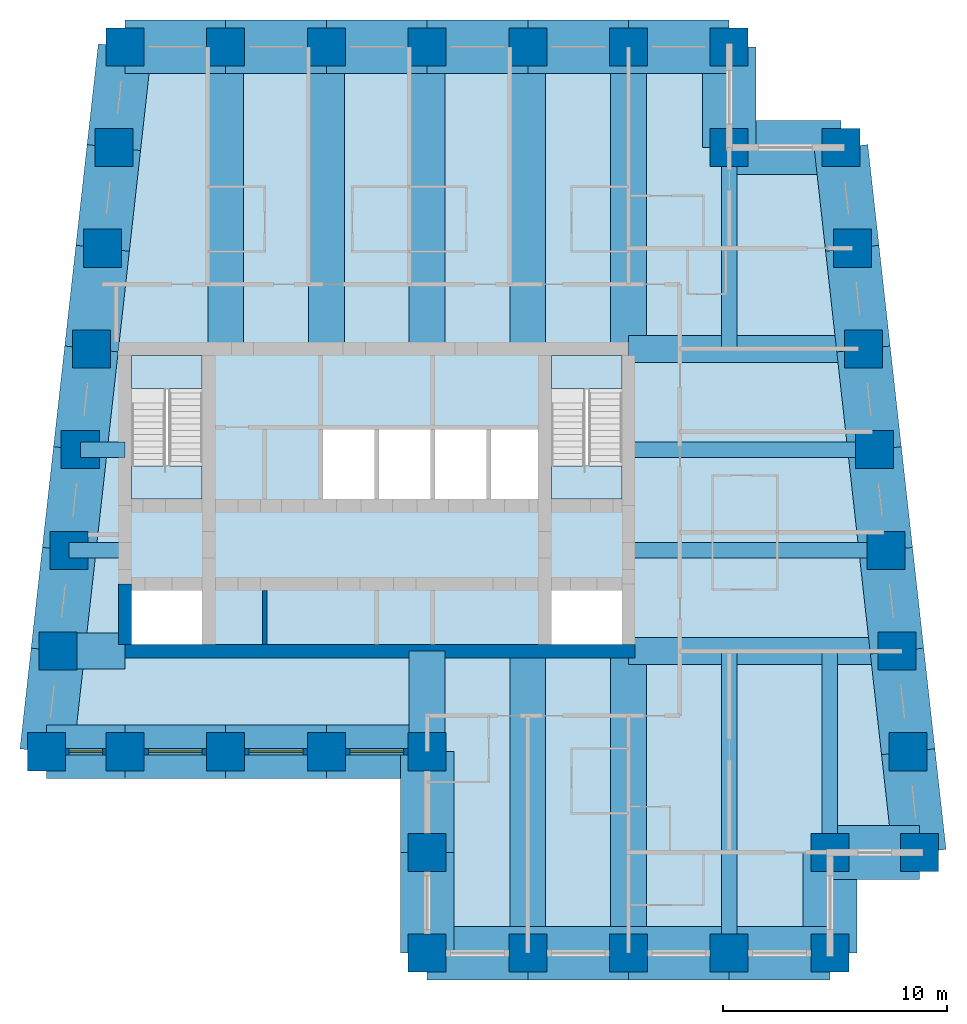
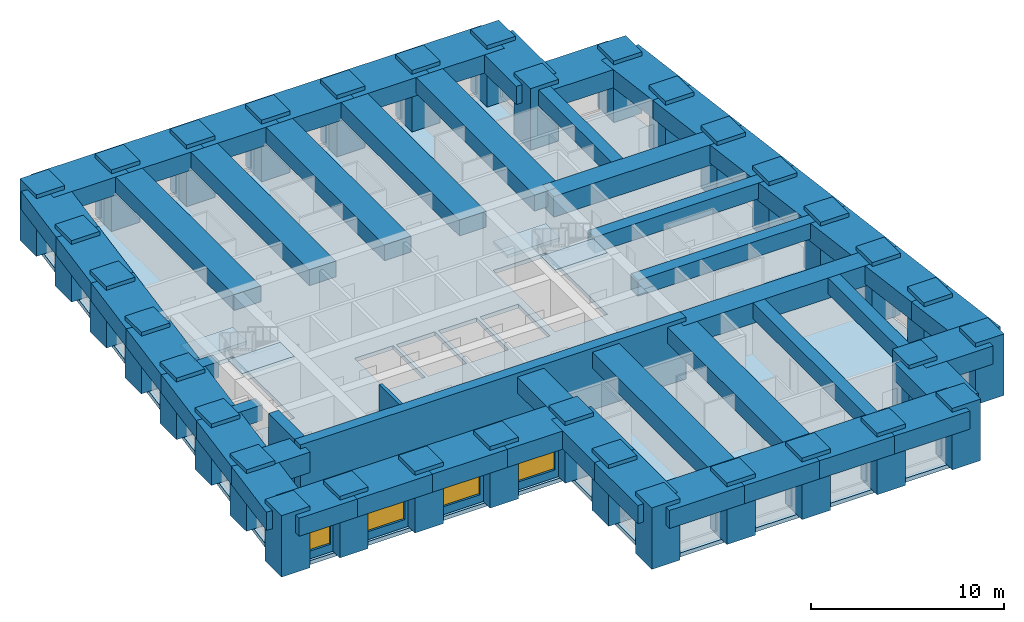
# One storey, part 1 of 7: 52 beams, 34 columns, 5 slabs, 4 walls, 4 windows, 4 openings, 2 elements without a shape of their own.
"""IFC4 building model written with IfcOpenShell, lengths in metres."""

from ifc_helpers import new_model, si_unit, direction, frame, frame_2d, origin, origin_2d, place, context, subcontext, project, spatial, polyline, rectangle, outline, extrude, material, layer, layer_set, material_profile, profile_set, type_object, element, fill, aggregate, save


model = new_model("IFC4")

# Units and contexts
model_context = context("Model", 3, precision=1e-05, world=origin(), true_north=direction((0.0, 1.0)))
body_context = subcontext(model_context, "Body", "Model", "MODEL_VIEW")
ifc_project = project(units=[si_unit("LENGTHUNIT", "METRE"), si_unit("AREAUNIT", "SQUARE_METRE"), si_unit("VOLUMEUNIT", "CUBIC_METRE"), si_unit("PLANEANGLEUNIT", "RADIAN"), si_unit("MASSUNIT", "GRAM", prefix="KILO")], contexts=[model_context])

# Site, building, storey
site_placement = place(None, origin())
site = spatial("IfcSite", under=ifc_project, at=site_placement, CompositionType="ELEMENT")
building_placement = place(site_placement, origin())
building = spatial("IfcBuilding", under=site, at=building_placement, Name="Kilele Tower Hotel", CompositionType="ELEMENT")
storey_placement = place(building_placement, frame((0.0, 0.0, 221.300048828125)))
storey = spatial("IfcBuildingStorey", under=building, at=storey_placement, Name="L57", CompositionType="ELEMENT", Elevation=221.300048828125)

# Columns
ifc_material_1 = material(Name="Concrete C60/75", Category="concrete")
ifc_material_profile_1 = material_profile(ifc_material_1, rectangle(XDim=1.699951171875, YDim=1.699951171875, at=origin_2d()))
ifc_profile_set_1 = profile_set([ifc_material_profile_1], Name="Concrete C60/75")
column_type = type_object("IfcColumnType", Name="Tube column RC 1700x1700 C60/75", PredefinedType="COLUMN", material=ifc_profile_set_1)
for number, where, z_axis, x_axis, name in (
    (1, (10.0, 9.0, 0.0), (0.0, 0.0, 1.0), (1.0, 0.0, 0.0), "Column TC4 L57"),
    (2, (13.5, 9.0, 0.0), (0.0, 0.0, 1.0), (1.0, 0.0, 0.0), "Column TC4 L57"),
    (3, (18.0, 9.0, 0.0), (0.0, 0.0, 1.0), (1.0, 0.0, 0.0), "Column TC4 L57"),
    (4, (22.5, 9.0, 0.0), (0.0, 0.0, 1.0), (1.0, 0.0, 0.0), "Column TC4 L57"),
    (5, (27.0, 9.0, 0.0), (0.0, 0.0, 1.0), (1.0, 0.0, 0.0), "Column TC4 L57"),
    (6, (27.0, 4.5, 0.0), (0.0, 0.0, 1.0), (1.0, 0.0, 0.0), "Column TC4 L57"),
    (7, (27.0, 0.0, 0.0), (0.0, 0.0, 1.0), (1.0, 0.0, 0.0), "Column TC4 L57"),
    (8, (31.5, 0.0, 0.0), (0.0, 0.0, 1.0), (1.0, 0.0, 0.0), "Column TC4 L57"),
    (9, (36.0, 0.0, 0.0), (0.0, 0.0, 1.0), (1.0, 0.0, 0.0), "Column TC4 L57"),
    (10, (40.5, 0.0, 0.0), (0.0, 0.0, 1.0), (1.0, 0.0, 0.0), "Column TC4 L57"),
    (11, (45.0, 0.0, 0.0), (0.0, 0.0, 1.0), (1.0, 0.0, 0.0), "Column TC4 L57"),
    (12, (45.0, 4.5, 0.0), (0.0, 0.0, 1.0), (1.0, 0.0, 0.0), "Column TC4 L57"),
    (13, (49.0, 4.5, 0.0), (0.0, 0.0, 1.0), (1.0, 0.0, 0.0), "Column TC4 L57"),
    (14, (48.5, 9.0, 0.0), (0.0, 0.0, 1.0), (1.0, 0.0, 0.0), "Column TC4 L57"),
    (15, (48.0, 13.5, 0.0), (0.0, 0.0, 1.0), (1.0, 0.0, 0.0), "Column TC4 L57"),
    (16, (47.5, 18.0, 0.0), (0.0, 0.0, 1.0), (1.0, 0.0, 0.0), "Column TC4 L57"),
    (17, (47.0, 22.5, 0.0), (0.0, 0.0, 1.0), (1.0, 0.0, 0.0), "Column TC4 L57"),
    (18, (46.5, 27.0, 0.0), (0.0, 0.0, 1.0), (1.0, 0.0, 0.0), "Column TC4 L57"),
    (19, (46.0, 31.5, 0.0), (0.0, 0.0, 1.0), (1.0, 0.0, 0.0), "Column TC4 L57"),
    (20, (45.5, 36.0, 0.0), (0.0, 0.0, 1.0), (1.0, 0.0, 0.0), "Column TC4 L57"),
    (21, (40.5, 36.0, 0.0), (0.0, 0.0, 1.0), (1.0, 0.0, 0.0), "Column TC4 L57"),
    (22, (40.5, 40.5, 0.0), (0.0, 0.0, 1.0), (1.0, 0.0, 0.0), "Column TC4 L57"),
    (23, (36.0, 40.5, 0.0), (0.0, 0.0, 1.0), (1.0, 0.0, 0.0), "Column TC4 L57"),
    (24, (31.5, 40.5, 0.0), (0.0, 0.0, 1.0), (1.0, 0.0, 0.0), "Column TC4 L57"),
    (25, (27.0, 40.5, 0.0), (0.0, 0.0, 1.0), (1.0, 0.0, 0.0), "Column TC4 L57"),
    (26, (22.5, 40.5, 0.0), (0.0, 0.0, 1.0), (1.0, 0.0, 0.0), "Column TC4 L57"),
    (27, (18.0, 40.5, 0.0), (0.0, 0.0, 1.0), (1.0, 0.0, 0.0), "Column TC4 L57"),
    (28, (13.5, 40.5, 0.0), (0.0, 0.0, 1.0), (1.0, 0.0, 0.0), "Column TC4 L57"),
    (29, (13.0, 36.0, 0.0), (0.0, 0.0, 1.0), (1.0, 0.0, 0.0), "Column TC4 L57"),
    (30, (12.5, 31.5, 0.0), (0.0, 0.0, 1.0), (1.0, 0.0, 0.0), "Column TC4 L57"),
    (31, (12.0, 27.0, 0.0), (0.0, 0.0, 1.0), (1.0, 0.0, 0.0), "Column TC4 L57"),
    (32, (11.5, 22.5, 0.0), (0.0, 0.0, 1.0), (1.0, 0.0, 0.0), "Column TC4 L57"),
    (33, (11.0, 18.0, 0.0), (0.0, 0.0, 1.0), (1.0, 0.0, 0.0), "Column TC4 L57"),
    (34, (10.5, 13.5, 0.0), (0.0, 0.0, 1.0), (1.0, 0.0, 0.0), "Column TC4 L57"),
):
    element("IfcColumn", number, at=place(storey_placement, frame(where, z_axis=z_axis, x_axis=x_axis)), inside=storey, type_object=column_type, Name=name, PredefinedType="COLUMN", context=body_context, shape_type="SweptSolid", body=[
        extrude(rectangle(XDim=1.699951171875, YDim=1.699951171875, at=origin_2d()), origin(), (0.0, 0.0, 1.0), 3.89990234375),
    ])

# Beams
ifc_material_2 = material(Name="Concrete C60/75", Category="concrete")
ifc_material_profile_2 = material_profile(ifc_material_2, rectangle(XDim=1.60009765625, YDim=1.0, at=origin_2d()))
ifc_profile_set_2 = profile_set([ifc_material_profile_2], Name="Concrete C60/75")
beam_type_1 = type_object("IfcBeamType", Name="Beam RC 1600x1000 C60/75", PredefinedType="BEAM", material=ifc_profile_set_2)
for number, where, z_axis, x_axis, name in (
    (35, (31.5, 0.0, 3.14990234375), (0.0, 1.0, 0.0), (-1.0, 0.0, 0.0), "Beam BC1 level L58"),
    (36, (36.0, 0.0, 3.14990234375), (0.0, 1.0, 0.0), (-1.0, 0.0, 0.0), "Beam BC1 level L58"),
    (37, (36.0, 40.5, 3.14990234375), (0.0, -1.0, 0.0), (1.0, 0.0, 0.0), "Beam BC1 level L58"),
    (38, (31.5, 40.5, 3.14990234375), (0.0, -1.0, 0.0), (1.0, 0.0, 0.0), "Beam BC1 level L58"),
    (39, (27.0, 40.5, 3.14990234375), (0.0, -1.0, 0.0), (1.0, 0.0, 0.0), "Beam BC1 level L58"),
    (40, (22.5, 40.5, 3.14990234375), (0.0, -1.0, 0.0), (1.0, 0.0, 0.0), "Beam BC1 level L58"),
    (41, (18.0, 40.5, 3.14990234375), (0.0, -1.0, 0.0), (1.0, 0.0, 0.0), "Beam BC1 level L58"),
):
    element("IfcBeam", number, at=place(storey_placement, frame(where, z_axis=z_axis, x_axis=x_axis)), inside=storey, type_object=beam_type_1, Name=name, PredefinedType="BEAM", context=body_context, shape_type="SweptSolid", body=[
        extrude(rectangle(XDim=1.60009765625, YDim=1.0, at=origin_2d()), origin(), (0.0, 0.0, 1.0), 13.5),
    ])
ifc_material_3 = material(Name="Concrete C60/75", Category="concrete")
ifc_material_profile_3 = material_profile(ifc_material_3, rectangle(XDim=1.60009765625, YDim=1.0, at=origin_2d()))
ifc_profile_set_3 = profile_set([ifc_material_profile_3], Name="Concrete C60/75")
beam_type_2 = type_object("IfcBeamType", Name="Beam RC 1600x1000 C60/75 short span", PredefinedType="BEAM", material=ifc_profile_set_3)
beam_1_placement = place(storey_placement, frame((27.0, 9.0, 3.14990234375), z_axis=(0.0, 1.0, 0.0), x_axis=(-1.0, 0.0, 0.0)))
element("IfcBeam", 42, at=beam_1_placement, inside=storey, type_object=beam_type_2, Name="Beam BC2 level L58", PredefinedType="BEAM", context=body_context, shape_type="SweptSolid", body=[
    extrude(rectangle(XDim=1.60009765625, YDim=1.0, at=origin_2d()), origin(), (0.0, 0.0, 1.0), 4.5),
])
ifc_material_4 = material(Name="Concrete C60/75", Category="concrete")
ifc_material_profile_4 = material_profile(ifc_material_4, rectangle(XDim=0.699951171875, YDim=1.0, at=origin_2d()))
ifc_profile_set_4 = profile_set([ifc_material_profile_4], Name="Concrete C60/75")
beam_type_3 = type_object("IfcBeamType", Name="Beam RC 700x1000 C60/75", PredefinedType="BEAM", material=ifc_profile_set_4)
beam_2_placement = place(storey_placement, frame((40.5, 0.0, 3.14990234375), z_axis=(0.0, 1.0, 0.0), x_axis=(-1.0, 0.0, 0.0)))
element("IfcBeam", 43, at=beam_2_placement, inside=storey, type_object=beam_type_3, Name="Beam B4 level L58", PredefinedType="BEAM", context=body_context, shape_type="SweptSolid", body=[
    extrude(rectangle(XDim=0.699951171875, YDim=1.0, at=origin_2d()), origin(), (0.0, 0.0, 1.0), 13.5),
])
ifc_material_5 = material(Name="Concrete C60/75", Category="concrete")
ifc_material_profile_5 = material_profile(ifc_material_5, rectangle(XDim=0.699951171875, YDim=1.0, at=origin_2d()))
ifc_profile_set_5 = profile_set([ifc_material_profile_5], Name="Concrete C60/75")
beam_type_4 = type_object("IfcBeamType", Name="Beam RC 700x1000 C60/75 mid span", PredefinedType="BEAM", material=ifc_profile_set_5)
beam_3_placement = place(storey_placement, frame((45.0, 4.5, 3.14990234375), z_axis=(0.0, 1.0, 0.0), x_axis=(-1.0, 0.0, 0.0)))
element("IfcBeam", 44, at=beam_3_placement, inside=storey, type_object=beam_type_4, Name="Beam B5 level L58", PredefinedType="BEAM", context=body_context, shape_type="SweptSolid", body=[
    extrude(rectangle(XDim=0.699951171875, YDim=1.0, at=origin_2d()), origin(), (0.0, 0.0, 1.0), 9.0),
])
beam_4_placement = place(storey_placement, frame((47.5, 18.0, 3.14990234375), z_axis=(-1.0, 0.0, 0.0), x_axis=(0.0, -1.0, 0.0)))
element("IfcBeam", 45, at=beam_4_placement, inside=storey, type_object=beam_type_4, Name="Beam B5 level L58", PredefinedType="BEAM", context=body_context, shape_type="SweptSolid", body=[
    extrude(rectangle(XDim=0.699951171875, YDim=1.0, at=origin_2d()), origin(), (0.0, 0.0, 1.0), 11.5),
])
beam_5_placement = place(storey_placement, frame((47.0, 22.5, 3.14990234375), z_axis=(-1.0, 0.0, 0.0), x_axis=(0.0, -1.0, 0.0)))
element("IfcBeam", 46, at=beam_5_placement, inside=storey, type_object=beam_type_4, Name="Beam B5 level L58", PredefinedType="BEAM", context=body_context, shape_type="SweptSolid", body=[
    extrude(rectangle(XDim=0.699951171875, YDim=1.0, at=origin_2d()), origin(), (0.0, 0.0, 1.0), 11.0),
])
beam_6_placement = place(storey_placement, frame((40.5, 36.0, 3.14990234375), z_axis=(0.0, -1.0, 0.0), x_axis=(1.0, 0.0, 0.0)))
element("IfcBeam", 47, at=beam_6_placement, inside=storey, type_object=beam_type_4, Name="Beam B5 level L58", PredefinedType="BEAM", context=body_context, shape_type="SweptSolid", body=[
    extrude(rectangle(XDim=0.699951171875, YDim=1.0, at=origin_2d()), origin(), (0.0, 0.0, 1.0), 9.0),
])
ifc_material_6 = material(Name="Concrete C60/75", Category="concrete")
ifc_material_profile_6 = material_profile(ifc_material_6, rectangle(XDim=0.699951171875, YDim=1.0, at=origin_2d()))
ifc_profile_set_6 = profile_set([ifc_material_profile_6], Name="Concrete C60/75")
beam_type_5 = type_object("IfcBeamType", Name="Beam RC 700x1000 C60/75 short span", PredefinedType="BEAM", material=ifc_profile_set_6)
beam_7_placement = place(storey_placement, frame((11.5, 22.5, 3.14990234375), z_axis=(1.0, 0.0, 0.0), x_axis=(0.0, 1.0, 0.0)))
element("IfcBeam", 48, at=beam_7_placement, inside=storey, type_object=beam_type_5, Name="Beam B6 level L58", PredefinedType="BEAM", context=body_context, shape_type="SweptSolid", body=[
    extrude(rectangle(XDim=0.699951171875, YDim=1.0, at=origin_2d()), origin(), (0.0, 0.0, 1.0), 2.0),
])
beam_8_placement = place(storey_placement, frame((11.0, 18.0, 3.14990234375), z_axis=(1.0, 0.0, 0.0), x_axis=(0.0, 1.0, 0.0)))
element("IfcBeam", 49, at=beam_8_placement, inside=storey, type_object=beam_type_5, Name="Beam B6 level L58", PredefinedType="BEAM", context=body_context, shape_type="SweptSolid", body=[
    extrude(rectangle(XDim=0.699951171875, YDim=1.0, at=origin_2d()), origin(), (0.0, 0.0, 1.0), 2.5),
])
ifc_material_7 = material(Name="Concrete C60/75", Category="concrete")
ifc_material_profile_7 = material_profile(ifc_material_7, rectangle(XDim=1.60009765625, YDim=1.300048828125, at=origin_2d()))
ifc_profile_set_7 = profile_set([ifc_material_profile_7], Name="Concrete C60/75")
beam_type_6 = type_object("IfcBeamType", Name="Coupling girder RC 1600x1300 C60/75", PredefinedType="BEAM", material=ifc_profile_set_7)
beam_9_placement = place(storey_placement, frame((10.5, 13.5, 3.0), z_axis=(1.0, 0.0, 0.0), x_axis=(0.0, 1.0, 0.0)))
element("IfcBeam", 50, at=beam_9_placement, inside=storey, type_object=beam_type_6, Name="Coupling girder G2 level L58", PredefinedType="BEAM", context=body_context, shape_type="SweptSolid", body=[
    extrude(rectangle(XDim=1.60009765625, YDim=1.300048828125, at=origin_2d()), origin(), (0.0, 0.0, 1.0), 3.0),
])
ifc_material_8 = material(Name="Concrete C60/75", Category="concrete")
ifc_material_profile_8 = material_profile(ifc_material_8, rectangle(XDim=1.199951171875, YDim=1.300048828125, at=origin_2d()))
ifc_profile_set_8 = profile_set([ifc_material_profile_8], Name="Concrete C60/75")
beam_type_7 = type_object("IfcBeamType", Name="Girder RC 1200x1300 C60/75", PredefinedType="BEAM", material=ifc_profile_set_8)
beam_10_placement = place(storey_placement, frame((48.0, 13.5, 3.0), z_axis=(-1.0, 0.0, 0.0), x_axis=(0.0, -1.0, 0.0)))
element("IfcBeam", 51, at=beam_10_placement, inside=storey, type_object=beam_type_7, Name="Girder G1 level L58", PredefinedType="BEAM", context=body_context, shape_type="SweptSolid", body=[
    extrude(rectangle(XDim=1.199951171875, YDim=1.300048828125, at=origin_2d()), origin(), (0.0, 0.0, 1.0), 12.0),
])
ifc_material_9 = material(Name="Concrete C60/75", Category="concrete")
ifc_material_profile_9 = material_profile(ifc_material_9, rectangle(XDim=1.199951171875, YDim=1.300048828125, at=origin_2d()))
ifc_profile_set_9 = profile_set([ifc_material_profile_9], Name="Concrete C60/75")
beam_type_8 = type_object("IfcBeamType", Name="Girder RC 1200x1300 C60/75 mid span", PredefinedType="BEAM", material=ifc_profile_set_9)
beam_11_placement = place(storey_placement, frame((46.5, 27.0, 3.0), z_axis=(-1.0, 0.0, 0.0), x_axis=(0.0, -1.0, 0.0)))
element("IfcBeam", 52, at=beam_11_placement, inside=storey, type_object=beam_type_8, Name="Girder G3 level L58", PredefinedType="BEAM", context=body_context, shape_type="SweptSolid", body=[
    extrude(rectangle(XDim=1.199951171875, YDim=1.300048828125, at=origin_2d()), origin(), (0.0, 0.0, 1.0), 10.5),
])
ifc_material_10 = material(Name="Concrete C60/75", Category="concrete")
ifc_material_profile_10 = material_profile(ifc_material_10, rectangle(XDim=2.39990234375, YDim=1.14990234375, at=origin_2d()))
ifc_profile_set_10 = profile_set([ifc_material_profile_10], Name="Concrete C60/75")
beam_type_9 = type_object("IfcBeamType", Name="Spandrel RC 2400x1150 C60/75", PredefinedType="SPANDREL", material=ifc_profile_set_10)
beam_12_placement = place(storey_placement, frame((10.0, 9.0, 3.074951171875), z_axis=(1.0, 0.0, 0.0), x_axis=(0.0, 1.0, 0.0)))
element("IfcBeam", 53, at=beam_12_placement, inside=storey, type_object=beam_type_9, Name="Spandrel SP9 level L58", PredefinedType="SPANDREL", context=body_context, shape_type="SweptSolid", body=[
    extrude(rectangle(XDim=2.39990234375, YDim=1.14990234375, at=origin_2d()), origin(), (0.0, 0.0, 1.0), 3.5),
])
for number, where, z_axis, x_axis, name in (
    (54, (13.5, 9.0, 3.074951171875), (1.0, 0.0, 0.0), (0.0, 1.0, 0.0), "Spandrel SP9 level L58"),
    (55, (18.0, 9.0, 3.074951171875), (1.0, 0.0, 0.0), (0.0, 1.0, 0.0), "Spandrel SP9 level L58"),
    (56, (22.5, 9.0, 3.074951171875), (1.0, 0.0, 0.0), (0.0, 1.0, 0.0), "Spandrel SP9 level L58"),
    (57, (27.0, 9.0, 3.074951171875), (0.0, -1.0, 0.0), (1.0, 0.0, 0.0), "Spandrel SP9 level L58"),
    (58, (27.0, 4.5, 3.074951171875), (0.0, -1.0, 0.0), (1.0, 0.0, 0.0), "Spandrel SP9 level L58"),
    (59, (27.0, 0.0, 3.074951171875), (1.0, 0.0, 0.0), (0.0, 1.0, 0.0), "Spandrel SP9 level L58"),
    (60, (31.5, 0.0, 3.074951171875), (1.0, 0.0, 0.0), (0.0, 1.0, 0.0), "Spandrel SP9 level L58"),
    (61, (36.0, 0.0, 3.074951171875), (1.0, 0.0, 0.0), (0.0, 1.0, 0.0), "Spandrel SP9 level L58"),
    (62, (40.5, 0.0, 3.074951171875), (1.0, 0.0, 0.0), (0.0, 1.0, 0.0), "Spandrel SP9 level L58"),
    (63, (45.0, 0.0, 3.074951171875), (0.0, 1.0, 0.0), (-1.0, 0.0, 0.0), "Spandrel SP9 level L58"),
):
    element("IfcBeam", number, at=place(storey_placement, frame(where, z_axis=z_axis, x_axis=x_axis)), inside=storey, type_object=beam_type_9, Name=name, PredefinedType="SPANDREL", context=body_context, shape_type="SweptSolid", body=[
        extrude(rectangle(XDim=2.39990234375, YDim=1.14990234375, at=origin_2d()), origin(), (0.0, 0.0, 1.0), 4.5),
    ])
beam_13_placement = place(storey_placement, frame((45.0, 4.5, 3.074951171875), z_axis=(1.0, 0.0, 0.0), x_axis=(0.0, 1.0, 0.0)))
element("IfcBeam", 64, at=beam_13_placement, inside=storey, type_object=beam_type_9, Name="Spandrel SP9 level L58", PredefinedType="SPANDREL", context=body_context, shape_type="SweptSolid", body=[
    extrude(rectangle(XDim=2.39990234375, YDim=1.14990234375, at=origin_2d()), origin(), (0.0, 0.0, 1.0), 4.0),
])
for number, where, z_axis, x_axis, name in (
    (65, (49.0, 4.5, 3.074951171875), (-0.110431526075, 0.993883734674, 0.0), (-0.993883734674, -0.110431526075, 0.0), "Spandrel SP9 level L58"),
    (66, (48.5, 9.0, 3.074951171875), (-0.110431526075, 0.993883734674, 0.0), (-0.993883734674, -0.110431526075, 0.0), "Spandrel SP9 level L58"),
    (67, (48.0, 13.5, 3.074951171875), (-0.110431526075, 0.993883734674, 0.0), (-0.993883734674, -0.110431526075, 0.0), "Spandrel SP9 level L58"),
    (68, (47.5, 18.0, 3.074951171875), (-0.110431526075, 0.993883734674, 0.0), (-0.993883734674, -0.110431526075, 0.0), "Spandrel SP9 level L58"),
    (69, (47.0, 22.5, 3.074951171875), (-0.110431526075, 0.993883734674, 0.0), (-0.993883734674, -0.110431526075, 0.0), "Spandrel SP9 level L58"),
    (70, (46.5, 27.0, 3.074951171875), (-0.110431526075, 0.993883734674, 0.0), (-0.993883734674, -0.110431526075, 0.0), "Spandrel SP9 level L58"),
    (71, (46.0, 31.5, 3.074951171875), (-0.110431526075, 0.993883734674, 0.0), (-0.993883734674, -0.110431526075, 0.0), "Spandrel SP9 level L58"),
):
    element("IfcBeam", number, at=place(storey_placement, frame(where, z_axis=z_axis, x_axis=x_axis)), inside=storey, type_object=beam_type_9, Name=name, PredefinedType="SPANDREL", context=body_context, shape_type="SweptSolid", body=[
        extrude(rectangle(XDim=2.39990234375, YDim=1.14990234375, at=origin_2d()), origin(), (0.0, 0.0, 1.0), 4.527587890625),
    ])
beam_14_placement = place(storey_placement, frame((45.5, 36.0, 3.074951171875), z_axis=(-1.0, 0.0, 0.0), x_axis=(0.0, -1.0, 0.0)))
element("IfcBeam", 72, at=beam_14_placement, inside=storey, type_object=beam_type_9, Name="Spandrel SP9 level L58", PredefinedType="SPANDREL", context=body_context, shape_type="SweptSolid", body=[
    extrude(rectangle(XDim=2.39990234375, YDim=1.14990234375, at=origin_2d()), origin(), (0.0, 0.0, 1.0), 5.0),
])
for number, where, z_axis, x_axis, name in (
    (73, (40.5, 36.0, 3.074951171875), (0.0, 1.0, 0.0), (-1.0, 0.0, 0.0), "Spandrel SP9 level L58"),
    (74, (40.5, 40.5, 3.074951171875), (-1.0, 0.0, 0.0), (0.0, -1.0, 0.0), "Spandrel SP9 level L58"),
    (75, (36.0, 40.5, 3.074951171875), (-1.0, 0.0, 0.0), (0.0, -1.0, 0.0), "Spandrel SP9 level L58"),
    (76, (31.5, 40.5, 3.074951171875), (-1.0, 0.0, 0.0), (0.0, -1.0, 0.0), "Spandrel SP9 level L58"),
    (77, (27.0, 40.5, 3.074951171875), (-1.0, 0.0, 0.0), (0.0, -1.0, 0.0), "Spandrel SP9 level L58"),
    (78, (22.5, 40.5, 3.074951171875), (-1.0, 0.0, 0.0), (0.0, -1.0, 0.0), "Spandrel SP9 level L58"),
    (79, (18.0, 40.5, 3.074951171875), (-1.0, 0.0, 0.0), (0.0, -1.0, 0.0), "Spandrel SP9 level L58"),
):
    element("IfcBeam", number, at=place(storey_placement, frame(where, z_axis=z_axis, x_axis=x_axis)), inside=storey, type_object=beam_type_9, Name=name, PredefinedType="SPANDREL", context=body_context, shape_type="SweptSolid", body=[
        extrude(rectangle(XDim=2.39990234375, YDim=1.14990234375, at=origin_2d()), origin(), (0.0, 0.0, 1.0), 4.5),
    ])
for number, where, z_axis, x_axis, name in (
    (80, (13.5, 40.5, 3.074951171875), (-0.110431526075, -0.993883734674, 0.0), (0.993883734674, -0.110431526075, 0.0), "Spandrel SP9 level L58"),
    (81, (13.0, 36.0, 3.074951171875), (-0.110431526075, -0.993883734674, 0.0), (0.993883734674, -0.110431526075, 0.0), "Spandrel SP9 level L58"),
    (82, (12.5, 31.5, 3.074951171875), (-0.110431526075, -0.993883734674, 0.0), (0.993883734674, -0.110431526075, 0.0), "Spandrel SP9 level L58"),
    (83, (12.0, 27.0, 3.074951171875), (-0.110431526075, -0.993883734674, 0.0), (0.993883734674, -0.110431526075, 0.0), "Spandrel SP9 level L58"),
    (84, (11.5, 22.5, 3.074951171875), (-0.110431526075, -0.993883734674, 0.0), (0.993883734674, -0.110431526075, 0.0), "Spandrel SP9 level L58"),
    (85, (11.0, 18.0, 3.074951171875), (-0.110431526075, -0.993883734674, 0.0), (0.993883734674, -0.110431526075, 0.0), "Spandrel SP9 level L58"),
    (86, (10.5, 13.5, 3.074951171875), (-0.110431526075, -0.993883734674, 0.0), (0.993883734674, -0.110431526075, 0.0), "Spandrel SP9 level L58"),
):
    element("IfcBeam", number, at=place(storey_placement, frame(where, z_axis=z_axis, x_axis=x_axis)), inside=storey, type_object=beam_type_9, Name=name, PredefinedType="SPANDREL", context=body_context, shape_type="SweptSolid", body=[
        extrude(rectangle(XDim=2.39990234375, YDim=1.14990234375, at=origin_2d()), origin(), (0.0, 0.0, 1.0), 4.527587890625),
    ])

# Slab
ifc_material_11 = material(Name="Concrete C60/75", Category="concrete")
ifc_layer_1 = layer(ifc_material_11, 0.25)
ifc_layer_set_1 = layer_set([ifc_layer_1], Name="Concrete C60/75")
slab_type_1 = type_object("IfcSlabType", Name="Floor slab 250", PredefinedType="FLOOR", material=ifc_layer_set_1)
slab_1_placement = place(storey_placement, frame((0.0, 0.0, -0.25)))
element("IfcSlab", 87, at=slab_1_placement, inside=storey, type_object=slab_type_1, Name="Floor slab L57", PredefinedType="FLOOR", context=body_context, shape_type="SweptSolid", body=[
    extrude(outline(polyline([(40.800048828125, 40.800048828125), (40.800048828125, 36.300048828125), (45.7685546875, 36.300048828125), (49.335205078125, 4.199951171875), (45.300048828125, 4.199951171875), (45.300048828125, -0.300048828125), (26.699951171875, -0.300048828125), (26.699951171875, 8.699951171875), (9.664794921875, 8.699951171875), (13.2314453125, 40.800048828125), (40.800048828125, 40.800048828125)]), holes=[polyline([(16.949951171875, 16.199951171875), (13.800048828125, 16.199951171875), (13.800048828125, 13.800048828125), (16.949951171875, 13.800048828125), (16.949951171875, 16.199951171875)]), polyline([(35.699951171875, 16.199951171875), (32.550048828125, 16.199951171875), (32.550048828125, 13.800048828125), (35.699951171875, 13.800048828125), (35.699951171875, 16.199951171875)]), polyline([(24.64990234375, 23.39990234375), (22.35009765625, 23.39990234375), (22.35009765625, 20.10009765625), (24.64990234375, 20.10009765625), (24.64990234375, 23.39990234375)]), polyline([(27.14990234375, 23.39990234375), (24.85009765625, 23.39990234375), (24.85009765625, 20.10009765625), (27.14990234375, 20.10009765625), (27.14990234375, 23.39990234375)]), polyline([(29.64990234375, 23.39990234375), (27.35009765625, 23.39990234375), (27.35009765625, 20.10009765625), (29.64990234375, 20.10009765625), (29.64990234375, 23.39990234375)]), polyline([(32.14990234375, 23.39990234375), (29.85009765625, 23.39990234375), (29.85009765625, 20.10009765625), (32.14990234375, 20.10009765625), (32.14990234375, 23.39990234375)]), polyline([(16.949951171875, 26.699951171875), (13.800048828125, 26.699951171875), (13.800048828125, 20.300048828125), (16.949951171875, 20.300048828125), (16.949951171875, 26.699951171875)]), polyline([(35.699951171875, 26.699951171875), (32.550048828125, 26.699951171875), (32.550048828125, 20.300048828125), (35.699951171875, 20.300048828125), (35.699951171875, 26.699951171875)])]), origin(), (0.0, 0.0, 1.0), 0.25),
])

# Stair, slabs
ifc_material_12 = material(Name="Precast concrete C40/50", Category="concrete")
stair_type = type_object("IfcStairType", Name="Stair 1475 x 3900", PredefinedType="HALF_TURN_STAIR", material=ifc_material_12)
stair_1_placement = place(storey_placement, origin())
stair_1 = element("IfcStair", 88, at=stair_1_placement, inside=storey, type_object=stair_type, Name="Stair 1 L57", PredefinedType="HALF_TURN_STAIR")
ifc_material_13 = material(Name="Precast concrete C40/50", Category="concrete")
ifc_layer_2 = layer(ifc_material_13, 0.199951171875)
ifc_layer_set_2 = layer_set([ifc_layer_2], Name="Precast concrete C40/50")
slab_type_2 = type_object("IfcSlabType", Name="Stair landing 200", PredefinedType="LANDING", material=ifc_layer_set_2)
slab_2_placement = place(storey_placement, frame((0.0, 0.0, 1.6650390625)))
slab_2 = element("IfcSlab", 89, at=slab_2_placement, type_object=slab_type_2, Name="ST1 landing 1", PredefinedType="LANDING", context=body_context, shape_type="SweptSolid", body=[
    extrude(outline(polyline([(13.800048828125, 25.22509765625), (16.949951171875, 25.22509765625), (16.949951171875, 26.699951171875), (13.800048828125, 26.699951171875), (13.800048828125, 25.22509765625)])), origin(), (0.0, 0.0, 1.0), 0.2001953125),
])
slab_3_placement = place(storey_placement, frame((0.0, 0.0, 3.699951171875)))
slab_3 = element("IfcSlab", 90, at=slab_3_placement, type_object=slab_type_2, Name="ST1 landing 2", PredefinedType="LANDING", context=body_context, shape_type="SweptSolid", body=[
    extrude(outline(polyline([(13.800048828125, 20.300048828125), (16.949951171875, 20.300048828125), (16.949951171875, 21.77490234375), (13.800048828125, 21.77490234375), (13.800048828125, 20.300048828125)])), origin(), (0.0, 0.0, 1.0), 0.199951171875),
])
aggregate(stair_1, [slab_2, slab_3])

stair_2_placement = place(storey_placement, origin())
stair_2 = element("IfcStair", 91, at=stair_2_placement, inside=storey, type_object=stair_type, Name="Stair 2 L57", PredefinedType="HALF_TURN_STAIR")
slab_4_placement = place(storey_placement, frame((0.0, 0.0, 1.6650390625)))
slab_4 = element("IfcSlab", 92, at=slab_4_placement, type_object=slab_type_2, Name="ST2 landing 1", PredefinedType="LANDING", context=body_context, shape_type="SweptSolid", body=[
    extrude(outline(polyline([(32.550048828125, 25.22509765625), (35.699951171875, 25.22509765625), (35.699951171875, 26.699951171875), (32.550048828125, 26.699951171875), (32.550048828125, 25.22509765625)])), origin(), (0.0, 0.0, 1.0), 0.2001953125),
])
slab_5_placement = place(storey_placement, frame((0.0, 0.0, 3.699951171875)))
slab_5 = element("IfcSlab", 93, at=slab_5_placement, type_object=slab_type_2, Name="ST2 landing 2", PredefinedType="LANDING", context=body_context, shape_type="SweptSolid", body=[
    extrude(outline(polyline([(32.550048828125, 20.300048828125), (35.699951171875, 20.300048828125), (35.699951171875, 21.77490234375), (32.550048828125, 21.77490234375), (32.550048828125, 20.300048828125)])), origin(), (0.0, 0.0, 1.0), 0.199951171875),
])
aggregate(stair_2, [slab_4, slab_5])

# Walls
ifc_material_14 = material(Name="Concrete C60/75", Category="concrete")
ifc_layer_3 = layer(ifc_material_14, 0.60009765625)
ifc_layer_set_3 = layer_set([ifc_layer_3], Name="Concrete C60/75")
wall_type_1 = type_object("IfcWallType", Name="Core wall 600 C60/75", PredefinedType="SHEAR", material=ifc_layer_set_3)
wall_1_placement = place(storey_placement, frame((13.199951171875, 13.5, 0.0), z_axis=(0.0, 0.0, 1.0), x_axis=(1.0, 0.0, 0.0)))
element("IfcWall", 94, at=wall_1_placement, inside=storey, type_object=wall_type_1, Name="Core wall S L57", PredefinedType="SHEAR", context=body_context, shape_type="SweptSolid", body=[
    extrude(rectangle(XDim=23.10009765625, YDim=0.60009765625, at=frame_2d((11.550048828125, 0.0))), origin(), (0.0, 0.0, 1.0), 3.89990234375),
])
wall_2_placement = place(storey_placement, frame((13.5, 16.5, 0.0), z_axis=(0.0, 0.0, 1.0), x_axis=(0.0, -1.0, 0.0)))
element("IfcWall", 95, at=wall_2_placement, inside=storey, type_object=wall_type_1, Name="Core wall W3 L57", PredefinedType="SHEAR", context=body_context, shape_type="SweptSolid", body=[
    extrude(rectangle(XDim=2.699951171875, YDim=0.60009765625, at=frame_2d((1.35009765625, 0.0))), origin(), (0.0, 0.0, 1.0), 3.89990234375),
])

# Wall, openings, windows
ifc_material_15 = material(Name="Concrete C40/50 precast", Category="concrete")
ifc_layer_4 = layer(ifc_material_15, 0.260009765625, Name="Precast backing", Category="LoadBearing")
ifc_material_16 = material(Name="Reconstituted stone finish", Category="masonry")
ifc_layer_5 = layer(ifc_material_16, 0.0400390625, Name="Face mix", Category="Finish")
ifc_layer_set_4 = layer_set([ifc_layer_4, ifc_layer_5], Name="Precast concrete C40/50, reconstituted stone finish")
wall_type_2 = type_object("IfcWallType", Name="Precast stone facade wall 300", PredefinedType="STANDARD", material=ifc_layer_set_4)
wall_3_placement = place(storey_placement, frame((9.85009765625, 9.0, 0.0), z_axis=(0.0, 0.0, 1.0), x_axis=(1.0, 0.0, 0.0)))
wall_3 = element("IfcWall", 96, at=wall_3_placement, inside=storey, type_object=wall_type_2, Name="Facade wall L57 edge 1", PredefinedType="STANDARD", context=body_context, shape_type="SweptSolid", body=[
    extrude(rectangle(XDim=17.2998046875, YDim=0.300048828125, at=frame_2d((8.64990234375, 0.0))), origin(), (0.0, 0.0, 1.0), 2.5),
])
opening_1_placement = place(wall_3_placement, frame((1.14990234375, 0.0, 0.5)))
opening_1 = element("IfcOpeningElement", 97, at=opening_1_placement, cuts=wall_3, Name="Opening W4", PredefinedType="OPENING", context=body_context, shape_type="SweptSolid", body=[
    extrude(rectangle(XDim=1.5, YDim=1.85009765625, at=frame_2d((0.75, 0.925048828125))), frame((0.0, 0.159912109375, 0.0), z_axis=(0.0, -1.0, 0.0), x_axis=(1.0, 0.0, 0.0)), (0.0, 0.0, 1.0), 0.320068359375),
])
opening_2_placement = place(wall_3_placement, frame((4.699951171875, 0.0, 0.5)))
opening_2 = element("IfcOpeningElement", 98, at=opening_2_placement, cuts=wall_3, Name="Opening W4", PredefinedType="OPENING", context=body_context, shape_type="SweptSolid", body=[
    extrude(rectangle(XDim=2.39990234375, YDim=1.85009765625, at=frame_2d((1.199951171875, 0.925048828125))), frame((0.0, 0.159912109375, 0.0), z_axis=(0.0, -1.0, 0.0), x_axis=(1.0, 0.0, 0.0)), (0.0, 0.0, 1.0), 0.320068359375),
])
opening_3_placement = place(wall_3_placement, frame((9.199951171875, 0.0, 0.5)))
opening_3 = element("IfcOpeningElement", 99, at=opening_3_placement, cuts=wall_3, Name="Opening W4", PredefinedType="OPENING", context=body_context, shape_type="SweptSolid", body=[
    extrude(rectangle(XDim=2.39990234375, YDim=1.85009765625, at=frame_2d((1.199951171875, 0.925048828125))), frame((0.0, 0.159912109375, 0.0), z_axis=(0.0, -1.0, 0.0), x_axis=(1.0, 0.0, 0.0)), (0.0, 0.0, 1.0), 0.320068359375),
])
opening_4_placement = place(wall_3_placement, frame((13.699951171875, 0.0, 0.5)))
opening_4 = element("IfcOpeningElement", 100, at=opening_4_placement, cuts=wall_3, Name="Opening W4", PredefinedType="OPENING", context=body_context, shape_type="SweptSolid", body=[
    extrude(rectangle(XDim=2.39990234375, YDim=1.85009765625, at=frame_2d((1.199951171875, 0.925048828125))), frame((0.0, 0.159912109375, 0.0), z_axis=(0.0, -1.0, 0.0), x_axis=(1.0, 0.0, 0.0)), (0.0, 0.0, 1.0), 0.320068359375),
])
ifc_material_17 = material(Name="Aluminium frame, clear double glazing", Category="aluminium")
window_type_1 = type_object("IfcWindowType", Name="Window W4 1500 x 1850", PartitioningType="SINGLE_PANEL", PredefinedType="WINDOW", material=ifc_material_17)
window_1_placement = place(opening_1_placement, origin())
window_1 = element("IfcWindow", 101, at=window_1_placement, inside=storey, type_object=window_type_1, Name="Window L57", OverallHeight=1.85009765625, OverallWidth=1.5, PartitioningType="SINGLE_PANEL", PredefinedType="WINDOW", context=body_context, shape_type="SweptSolid", body=[
    extrude(rectangle(XDim=1.5, YDim=1.85009765625, at=frame_2d((0.75, 0.925048828125))), frame((0.0, 0.030029296875, 0.0), z_axis=(0.0, -1.0, 0.0), x_axis=(1.0, 0.0, 0.0)), (0.0, 0.0, 1.0), 0.06005859375),
])
fill(opening_1, window_1)
ifc_material_18 = material(Name="Aluminium frame, clear double glazing", Category="aluminium")
window_type_2 = type_object("IfcWindowType", Name="Window W4 2400 x 1850", PartitioningType="SINGLE_PANEL", PredefinedType="WINDOW", material=ifc_material_18)
window_2_placement = place(opening_2_placement, origin())
window_2 = element("IfcWindow", 102, at=window_2_placement, inside=storey, type_object=window_type_2, Name="Window L57", OverallHeight=1.85009765625, OverallWidth=2.39990234375, PartitioningType="SINGLE_PANEL", PredefinedType="WINDOW", context=body_context, shape_type="SweptSolid", body=[
    extrude(rectangle(XDim=2.39990234375, YDim=1.85009765625, at=frame_2d((1.199951171875, 0.925048828125))), frame((0.0, 0.030029296875, 0.0), z_axis=(0.0, -1.0, 0.0), x_axis=(1.0, 0.0, 0.0)), (0.0, 0.0, 1.0), 0.06005859375),
])
fill(opening_2, window_2)
window_3_placement = place(opening_3_placement, origin())
window_3 = element("IfcWindow", 103, at=window_3_placement, inside=storey, type_object=window_type_2, Name="Window L57", OverallHeight=1.85009765625, OverallWidth=2.39990234375, PartitioningType="SINGLE_PANEL", PredefinedType="WINDOW", context=body_context, shape_type="SweptSolid", body=[
    extrude(rectangle(XDim=2.39990234375, YDim=1.85009765625, at=frame_2d((1.199951171875, 0.925048828125))), frame((0.0, 0.030029296875, 0.0), z_axis=(0.0, -1.0, 0.0), x_axis=(1.0, 0.0, 0.0)), (0.0, 0.0, 1.0), 0.06005859375),
])
fill(opening_3, window_3)
window_4_placement = place(opening_4_placement, origin())
window_4 = element("IfcWindow", 104, at=window_4_placement, inside=storey, type_object=window_type_2, Name="Window L57", OverallHeight=1.85009765625, OverallWidth=2.39990234375, PartitioningType="SINGLE_PANEL", PredefinedType="WINDOW", context=body_context, shape_type="SweptSolid", body=[
    extrude(rectangle(XDim=2.39990234375, YDim=1.85009765625, at=frame_2d((1.199951171875, 0.925048828125))), frame((0.0, 0.030029296875, 0.0), z_axis=(0.0, -1.0, 0.0), x_axis=(1.0, 0.0, 0.0)), (0.0, 0.0, 1.0), 0.06005859375),
])
fill(opening_4, window_4)

# Wall
ifc_material_19 = material(Name="Blockwork, fire-rated", Category="masonry")
ifc_layer_6 = layer(ifc_material_19, 0.199951171875)
ifc_layer_set_5 = layer_set([ifc_layer_6], Name="Blockwork, fire-rated")
wall_type_3 = type_object("IfcWallType", Name="Shaft wall 200", PredefinedType="PARTITIONING", material=ifc_layer_set_5)
wall_4_placement = place(storey_placement, frame((19.75, 13.800048828125, 0.0), z_axis=(0.0, 0.0, 1.0), x_axis=(0.0, 1.0, 0.0)))
element("IfcWall", 105, at=wall_4_placement, inside=storey, type_object=wall_type_3, Name="Shaft wall 200 L57", PredefinedType="PARTITIONING", context=body_context, shape_type="SweptSolid", body=[
    extrude(rectangle(XDim=2.39990234375, YDim=0.199951171875, at=frame_2d((1.199951171875, 0.0))), origin(), (0.0, 0.0, 1.0), 3.64990234375),
])

save(model, "model.ifc")
